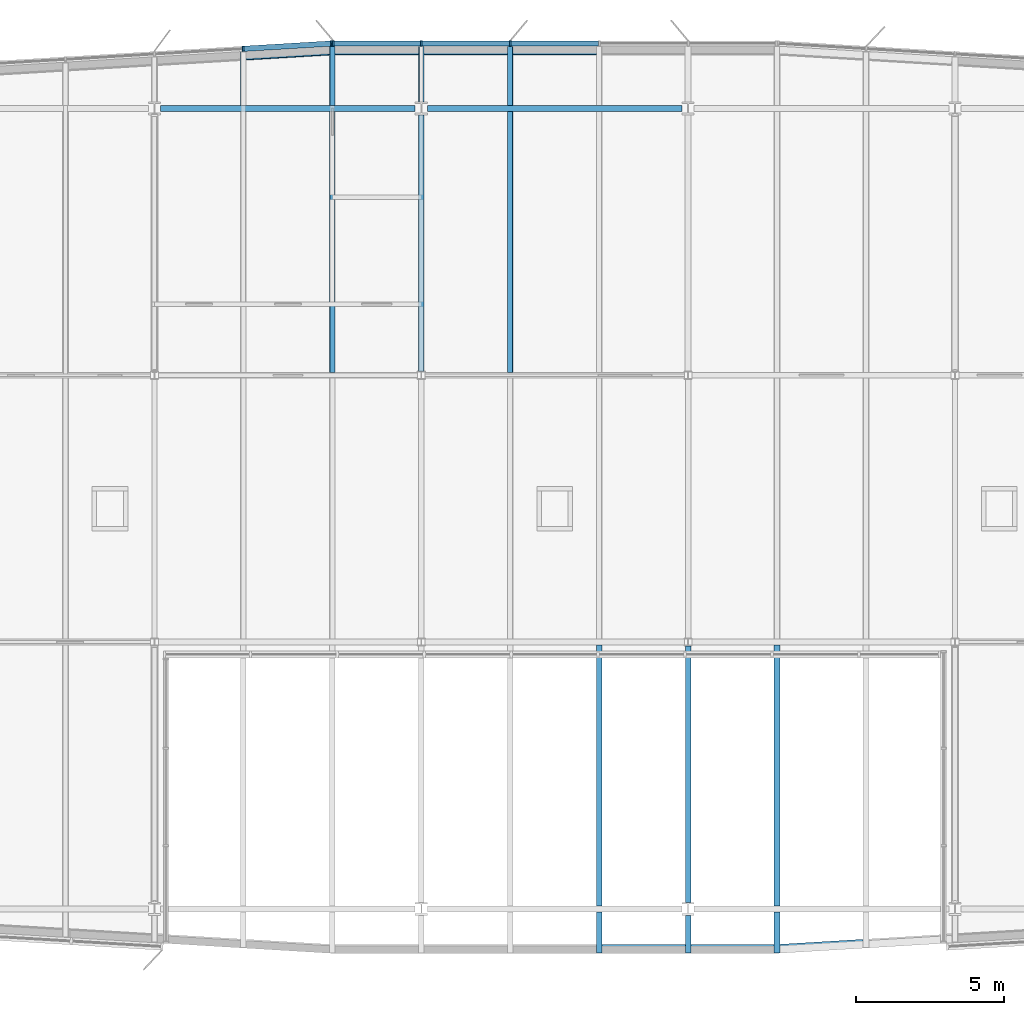
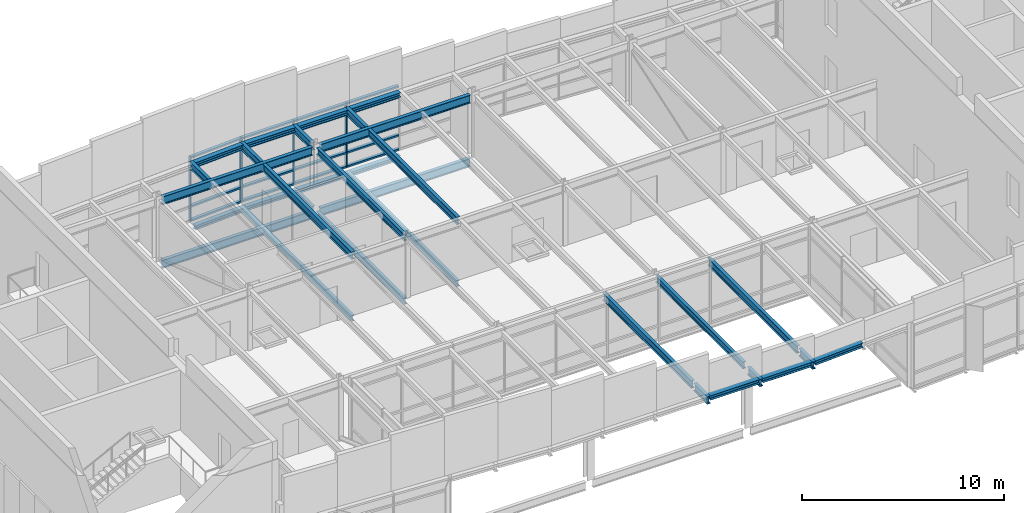
# One storey, part 5 of 23: 34 beams, 21 members, 2 elements without a shape of their own.
"""IFC4 building model written with IfcOpenShell, lengths in metres."""

from ifc_helpers import new_model, si_unit, direction, frame, origin, origin_2d, place, context, subcontext, project, spatial, rectangle, i_section, extrude, material, material_profile, profile_set, type_object, element, aggregate, save


model = new_model("IFC4")

# Units and contexts
model_context = context("Model", 3, precision=1e-05, world=origin(), true_north=direction((0.0, 1.0)))
body_context = subcontext(model_context, "Body", "Model", "MODEL_VIEW")
ifc_project = project(units=[si_unit("LENGTHUNIT", "METRE"), si_unit("AREAUNIT", "SQUARE_METRE"), si_unit("VOLUMEUNIT", "CUBIC_METRE"), si_unit("PLANEANGLEUNIT", "RADIAN"), si_unit("MASSUNIT", "GRAM", prefix="KILO")], contexts=[model_context])

# Site, building, storey
site_placement = place(None, origin())
site = spatial("IfcSite", under=ifc_project, at=site_placement, CompositionType="ELEMENT")
building_placement = place(site_placement, origin())
building = spatial("IfcBuilding", under=site, at=building_placement, Name="Azimuth Sports and Learning Centre", CompositionType="ELEMENT")
storey_placement = place(building_placement, frame((0.0, 0.0, 75.300048828125)))
storey = spatial("IfcBuildingStorey", under=building, at=storey_placement, Name="L17", CompositionType="ELEMENT", Elevation=75.300048828125)

# Beams
ifc_material_1 = material(Name="Steel S355", Category="steel")
ifc_material_profile_1 = material_profile(ifc_material_1, i_section(OverallWidth=0.179931640625, OverallDepth=0.39990234375, WebThickness=0.008544921875, FlangeThickness=0.013427734375, FilletRadius=0.02099609375, at=origin_2d()), Name="IPE 400")
ifc_profile_set_1 = profile_set([ifc_material_profile_1], Name="Steel S355")
beam_type_1 = type_object("IfcBeamType", Name="Beam IPE 400", PredefinedType="BEAM", material=ifc_profile_set_1)
for number, where, z_axis, x_axis, name in (
    (1, (81.0, 108.1298828125, -0.330078125), (0.0, 1.0, 0.0), (-1.0, 0.0, 0.0), "Tower tie"),
    (2, (81.0, 108.1298828125, 3.5), (0.0, 1.0, 0.0), (-1.0, 0.0, 0.0), "Roof tie"),
    (3, (90.0, 90.217529296875, 3.5), (0.0, 1.0, 0.0), (-1.0, 0.0, 0.0), "Roof tie"),
):
    element("IfcBeam", number, at=place(storey_placement, frame(where, z_axis=z_axis, x_axis=x_axis)), inside=storey, type_object=beam_type_1, Name=name, PredefinedType="BEAM", context=body_context, shape_type="SweptSolid", body=[
        extrude(i_section(OverallWidth=0.179931640625, OverallDepth=0.39990234375, WebThickness=0.008544921875, FlangeThickness=0.013427734375, FilletRadius=0.02099609375, at=origin_2d()), origin(), (0.0, 0.0, 1.0), 8.652587890625),
    ])
ifc_material_2 = material(Name="Steel S355", Category="steel")
ifc_material_profile_2 = material_profile(ifc_material_2, i_section(OverallWidth=0.199951171875, OverallDepth=0.5, WebThickness=0.01025390625, FlangeThickness=0.01611328125, FilletRadius=0.02099609375, at=origin_2d()), Name="IPE 500")
ifc_profile_set_2 = profile_set([ifc_material_profile_2], Name="Steel S355")
beam_type_2 = type_object("IfcBeamType", Name="Beam IPE 500", PredefinedType="BEAM", material=ifc_profile_set_2)
for number, where, z_axis, x_axis, name in (
    (4, (72.2060546875, 117.0, -0.380126953125), (1.0, 0.0, 0.0), (0.0, 1.0, 0.0), "Tower girder L17"),
    (5, (81.2060546875, 117.0, -0.380126953125), (1.0, 0.0, 0.0), (0.0, 1.0, 0.0), "Tower girder L17"),
    (6, (72.2060546875, 117.0, 3.449951171875), (1.0, 0.0, 0.0), (0.0, 1.0, 0.0), "Roof girder"),
    (7, (81.2060546875, 117.0, 3.449951171875), (1.0, 0.0, 0.0), (0.0, 1.0, 0.0), "Roof girder"),
):
    element("IfcBeam", number, at=place(storey_placement, frame(where, z_axis=z_axis, x_axis=x_axis)), inside=storey, type_object=beam_type_2, Name=name, PredefinedType="BEAM", context=body_context, shape_type="SweptSolid", body=[
        extrude(i_section(OverallWidth=0.199951171875, OverallDepth=0.5, WebThickness=0.01025390625, FlangeThickness=0.01611328125, FilletRadius=0.02099609375, at=origin_2d()), origin(), (0.0, 0.0, 1.0), 8.587890625),
    ])
ifc_material_3 = material(Name="Steel S355", Category="steel")
ifc_material_profile_3 = material_profile(ifc_material_3, i_section(OverallWidth=0.169921875, OverallDepth=0.360107421875, WebThickness=0.008056640625, FlangeThickness=0.0126953125, FilletRadius=0.01806640625, at=origin_2d()), Name="IPE 360")
ifc_profile_set_3 = profile_set([ifc_material_profile_3], Name="Steel S355")
beam_type_3 = type_object("IfcBeamType", Name="Cantilever stub IPE 360", PredefinedType="JOIST", material=ifc_profile_set_3)
beam_1_placement = place(storey_placement, frame((78.0, 117.10009765625, -0.31005859375), z_axis=(0.0, 1.0, 0.0), x_axis=(-1.0, 0.0, 0.0)))
element("IfcBeam", 8, at=beam_1_placement, inside=storey, type_object=beam_type_3, Name="Tower cantilever stub", PredefinedType="JOIST", context=body_context, shape_type="SweptSolid", body=[
    extrude(i_section(OverallWidth=0.169921875, OverallDepth=0.360107421875, WebThickness=0.008056640625, FlangeThickness=0.0126953125, FilletRadius=0.01806640625, at=origin_2d()), origin(), (0.0, 0.0, 1.0), 1.97998046875),
])
beam_2_placement = place(storey_placement, frame((81.0, 117.217529296875, -0.31005859375), z_axis=(0.0, 1.0, 0.0), x_axis=(-1.0, 0.0, 0.0)))
element("IfcBeam", 9, at=beam_2_placement, inside=storey, type_object=beam_type_3, Name="Tower cantilever stub", PredefinedType="JOIST", context=body_context, shape_type="SweptSolid", body=[
    extrude(i_section(OverallWidth=0.169921875, OverallDepth=0.360107421875, WebThickness=0.008056640625, FlangeThickness=0.0126953125, FilletRadius=0.01806640625, at=origin_2d()), origin(), (0.0, 0.0, 1.0), 1.862548828125),
])
beam_3_placement = place(storey_placement, frame((84.0, 117.10009765625, -0.31005859375), z_axis=(0.0, 1.0, 0.0), x_axis=(-1.0, 0.0, 0.0)))
element("IfcBeam", 10, at=beam_3_placement, inside=storey, type_object=beam_type_3, Name="Tower cantilever stub", PredefinedType="JOIST", context=body_context, shape_type="SweptSolid", body=[
    extrude(i_section(OverallWidth=0.169921875, OverallDepth=0.360107421875, WebThickness=0.008056640625, FlangeThickness=0.0126953125, FilletRadius=0.01806640625, at=origin_2d()), origin(), (0.0, 0.0, 1.0), 1.97998046875),
])
ifc_material_4 = material(Name="Steel S355", Category="steel")
ifc_material_profile_4 = material_profile(ifc_material_4, i_section(OverallWidth=0.18994140625, OverallDepth=0.449951171875, WebThickness=0.009521484375, FlangeThickness=0.0146484375, FilletRadius=0.02099609375, at=origin_2d()), Name="IPE 450")
ifc_profile_set_4 = profile_set([ifc_material_profile_4], Name="Steel S355")
beam_type_4 = type_object("IfcBeamType", Name="Cantilever stub IPE 450", PredefinedType="JOIST", material=ifc_profile_set_4)
beam_4_placement = place(storey_placement, frame((87.0, 89.89990234375, 3.474853515625), z_axis=(0.0, -1.0, 0.0), x_axis=(1.0, 0.0, 0.0)))
element("IfcBeam", 11, at=beam_4_placement, inside=storey, type_object=beam_type_4, Name="Roof cantilever stub", PredefinedType="JOIST", context=body_context, shape_type="SweptSolid", body=[
    extrude(i_section(OverallWidth=0.18994140625, OverallDepth=0.449951171875, WebThickness=0.009521484375, FlangeThickness=0.0146484375, FilletRadius=0.02099609375, at=origin_2d()), origin(), (0.0, 0.0, 1.0), 1.3798828125),
])
beam_5_placement = place(storey_placement, frame((90.0, 89.782470703125, 3.474853515625), z_axis=(0.0, -1.0, 0.0), x_axis=(1.0, 0.0, 0.0)))
element("IfcBeam", 12, at=beam_5_placement, inside=storey, type_object=beam_type_4, Name="Roof cantilever stub", PredefinedType="JOIST", context=body_context, shape_type="SweptSolid", body=[
    extrude(i_section(OverallWidth=0.18994140625, OverallDepth=0.449951171875, WebThickness=0.009521484375, FlangeThickness=0.0146484375, FilletRadius=0.02099609375, at=origin_2d()), origin(), (0.0, 0.0, 1.0), 1.262451171875),
])
beam_6_placement = place(storey_placement, frame((93.0, 89.89990234375, 3.474853515625), z_axis=(0.0, -1.0, 0.0), x_axis=(1.0, 0.0, 0.0)))
element("IfcBeam", 13, at=beam_6_placement, inside=storey, type_object=beam_type_4, Name="Roof cantilever stub", PredefinedType="JOIST", context=body_context, shape_type="SweptSolid", body=[
    extrude(i_section(OverallWidth=0.18994140625, OverallDepth=0.449951171875, WebThickness=0.009521484375, FlangeThickness=0.0146484375, FilletRadius=0.02099609375, at=origin_2d()), origin(), (0.0, 0.0, 1.0), 1.3798828125),
])
beam_7_placement = place(storey_placement, frame((75.0, 117.10009765625, 3.474853515625), z_axis=(0.0, 1.0, 0.0), x_axis=(-1.0, 0.0, 0.0)))
element("IfcBeam", 14, at=beam_7_placement, inside=storey, type_object=beam_type_4, Name="Roof cantilever stub", PredefinedType="JOIST", context=body_context, shape_type="SweptSolid", body=[
    extrude(i_section(OverallWidth=0.18994140625, OverallDepth=0.449951171875, WebThickness=0.009521484375, FlangeThickness=0.0146484375, FilletRadius=0.02099609375, at=origin_2d()), origin(), (0.0, 0.0, 1.0), 1.7998046875),
])
beam_8_placement = place(storey_placement, frame((78.0, 117.10009765625, 3.474853515625), z_axis=(0.0, 1.0, 0.0), x_axis=(-1.0, 0.0, 0.0)))
element("IfcBeam", 15, at=beam_8_placement, inside=storey, type_object=beam_type_4, Name="Roof cantilever stub", PredefinedType="JOIST", context=body_context, shape_type="SweptSolid", body=[
    extrude(i_section(OverallWidth=0.18994140625, OverallDepth=0.449951171875, WebThickness=0.009521484375, FlangeThickness=0.0146484375, FilletRadius=0.02099609375, at=origin_2d()), origin(), (0.0, 0.0, 1.0), 1.97998046875),
])
beam_9_placement = place(storey_placement, frame((81.0, 117.217529296875, 3.474853515625), z_axis=(0.0, 1.0, 0.0), x_axis=(-1.0, 0.0, 0.0)))
element("IfcBeam", 16, at=beam_9_placement, inside=storey, type_object=beam_type_4, Name="Roof cantilever stub", PredefinedType="JOIST", context=body_context, shape_type="SweptSolid", body=[
    extrude(i_section(OverallWidth=0.18994140625, OverallDepth=0.449951171875, WebThickness=0.009521484375, FlangeThickness=0.0146484375, FilletRadius=0.02099609375, at=origin_2d()), origin(), (0.0, 0.0, 1.0), 1.862548828125),
])
beam_10_placement = place(storey_placement, frame((84.0, 117.10009765625, 3.474853515625), z_axis=(0.0, 1.0, 0.0), x_axis=(-1.0, 0.0, 0.0)))
element("IfcBeam", 17, at=beam_10_placement, inside=storey, type_object=beam_type_4, Name="Roof cantilever stub", PredefinedType="JOIST", context=body_context, shape_type="SweptSolid", body=[
    extrude(i_section(OverallWidth=0.18994140625, OverallDepth=0.449951171875, WebThickness=0.009521484375, FlangeThickness=0.0146484375, FilletRadius=0.02099609375, at=origin_2d()), origin(), (0.0, 0.0, 1.0), 1.97998046875),
])
ifc_material_5 = material(Name="Steel S355", Category="steel")
ifc_material_profile_5 = material_profile(ifc_material_5, i_section(OverallWidth=0.260009765625, OverallDepth=0.25, WebThickness=0.007568359375, FlangeThickness=0.012451171875, FilletRadius=0.02392578125, at=origin_2d()), Name="HEA 260")
ifc_profile_set_5 = profile_set([ifc_material_profile_5], Name="Steel S355")
beam_type_5 = type_object("IfcBeamType", Name="Edge beam HEA 260", PredefinedType="SPANDREL", material=ifc_profile_set_5)
beam_11_placement = place(storey_placement, frame((75.0849609375, 118.775146484375, -0.255126953125), z_axis=(0.998207521518, 0.059847673176, 0.0), x_axis=(-0.059847673176, 0.998207521518, 0.0)))
element("IfcBeam", 18, at=beam_11_placement, inside=storey, type_object=beam_type_5, Name="Tower edge beam", PredefinedType="SPANDREL", context=body_context, shape_type="SweptSolid", body=[
    extrude(i_section(OverallWidth=0.260009765625, OverallDepth=0.25, WebThickness=0.007568359375, FlangeThickness=0.012451171875, FilletRadius=0.02392578125, at=origin_2d()), origin(), (0.0, 0.0, 1.0), 2.835205078125),
])
for number, where, z_axis, x_axis, name in (
    (19, (78.0849609375, 118.949951171875, -0.255126953125), (1.0, 0.0, 0.0), (0.0, 1.0, 0.0), "Tower edge beam"),
    (20, (81.0849609375, 118.949951171875, -0.255126953125), (1.0, 0.0, 0.0), (0.0, 1.0, 0.0), "Tower edge beam"),
    (21, (84.0849609375, 118.949951171875, -0.255126953125), (1.0, 0.0, 0.0), (0.0, 1.0, 0.0), "Tower edge beam"),
):
    element("IfcBeam", number, at=place(storey_placement, frame(where, z_axis=z_axis, x_axis=x_axis)), inside=storey, type_object=beam_type_5, Name=name, PredefinedType="SPANDREL", context=body_context, shape_type="SweptSolid", body=[
        extrude(i_section(OverallWidth=0.260009765625, OverallDepth=0.25, WebThickness=0.007568359375, FlangeThickness=0.012451171875, FilletRadius=0.02392578125, at=origin_2d()), origin(), (0.0, 0.0, 1.0), 2.830078125),
    ])
ifc_material_6 = material(Name="Steel S355", Category="steel")
ifc_material_profile_6 = material_profile(ifc_material_6, i_section(OverallWidth=0.280029296875, OverallDepth=0.27001953125, WebThickness=0.008056640625, FlangeThickness=0.012939453125, FilletRadius=0.02392578125, at=origin_2d()), Name="HEA 280")
ifc_profile_set_6 = profile_set([ifc_material_profile_6], Name="Steel S355")
beam_type_6 = type_object("IfcBeamType", Name="Edge beam HEA 280", PredefinedType="SPANDREL", material=ifc_profile_set_6)
for number, where, z_axis, x_axis, name in (
    (22, (87.094970703125, 88.659912109375, 3.56494140625), (1.0, 0.0, 0.0), (0.0, 1.0, 0.0), "Roof edge beam"),
    (23, (90.094970703125, 88.659912109375, 3.56494140625), (1.0, 0.0, 0.0), (0.0, 1.0, 0.0), "Roof edge beam"),
):
    element("IfcBeam", number, at=place(storey_placement, frame(where, z_axis=z_axis, x_axis=x_axis)), inside=storey, type_object=beam_type_6, Name=name, PredefinedType="SPANDREL", context=body_context, shape_type="SweptSolid", body=[
        extrude(i_section(OverallWidth=0.280029296875, OverallDepth=0.27001953125, WebThickness=0.008056640625, FlangeThickness=0.012939453125, FilletRadius=0.02392578125, at=origin_2d()), origin(), (0.0, 0.0, 1.0), 2.81005859375),
    ])
for number, where, z_axis, x_axis, name in (
    (24, (93.094970703125, 88.665771484375, 3.56494140625), (0.99820795503, 0.059840442135, 0.0), (-0.059840442135, 0.99820795503, 0.0), "Roof edge beam"),
    (25, (75.094970703125, 118.765625, 3.56494140625), (0.998202770938, 0.059926856187, 0.0), (-0.059926856187, 0.998202770938, 0.0), "Roof edge beam"),
):
    element("IfcBeam", number, at=place(storey_placement, frame(where, z_axis=z_axis, x_axis=x_axis)), inside=storey, type_object=beam_type_6, Name=name, PredefinedType="SPANDREL", context=body_context, shape_type="SweptSolid", body=[
        extrude(i_section(OverallWidth=0.280029296875, OverallDepth=0.27001953125, WebThickness=0.008056640625, FlangeThickness=0.012939453125, FilletRadius=0.02392578125, at=origin_2d()), origin(), (0.0, 0.0, 1.0), 2.815185546875),
    ])
for number, where, z_axis, x_axis, name in (
    (26, (78.094970703125, 118.93994140625, 3.56494140625), (1.0, 0.0, 0.0), (0.0, 1.0, 0.0), "Roof edge beam"),
    (27, (81.094970703125, 118.93994140625, 3.56494140625), (1.0, 0.0, 0.0), (0.0, 1.0, 0.0), "Roof edge beam"),
    (28, (84.094970703125, 118.93994140625, 3.56494140625), (1.0, 0.0, 0.0), (0.0, 1.0, 0.0), "Roof edge beam"),
):
    element("IfcBeam", number, at=place(storey_placement, frame(where, z_axis=z_axis, x_axis=x_axis)), inside=storey, type_object=beam_type_6, Name=name, PredefinedType="SPANDREL", context=body_context, shape_type="SweptSolid", body=[
        extrude(i_section(OverallWidth=0.280029296875, OverallDepth=0.27001953125, WebThickness=0.008056640625, FlangeThickness=0.012939453125, FilletRadius=0.02392578125, at=origin_2d()), origin(), (0.0, 0.0, 1.0), 2.81005859375),
    ])
ifc_material_7 = material(Name="Steel S355", Category="steel")
ifc_material_profile_7 = material_profile(ifc_material_7, i_section(OverallWidth=0.169921875, OverallDepth=0.360107421875, WebThickness=0.008056640625, FlangeThickness=0.0126953125, FilletRadius=0.01806640625, at=origin_2d()), Name="IPE 360")
ifc_profile_set_7 = profile_set([ifc_material_profile_7], Name="Steel S355")
beam_type_7 = type_object("IfcBeamType", Name="Joist IPE 360", PredefinedType="JOIST", material=ifc_profile_set_7)
for number, where, z_axis, x_axis, name in (
    (29, (78.0, 108.10009765625, -0.31005859375), (0.0, 1.0, 0.0), (-1.0, 0.0, 0.0), "Tower joist"),
    (30, (84.0, 108.10009765625, -0.31005859375), (0.0, 1.0, 0.0), (-1.0, 0.0, 0.0), "Tower joist"),
):
    element("IfcBeam", number, at=place(storey_placement, frame(where, z_axis=z_axis, x_axis=x_axis)), inside=storey, type_object=beam_type_7, Name=name, PredefinedType="JOIST", context=body_context, shape_type="SweptSolid", body=[
        extrude(i_section(OverallWidth=0.169921875, OverallDepth=0.360107421875, WebThickness=0.008056640625, FlangeThickness=0.0126953125, FilletRadius=0.01806640625, at=origin_2d()), origin(), (0.0, 0.0, 1.0), 8.7998046875),
    ])
ifc_material_8 = material(Name="Steel S355", Category="steel")
ifc_material_profile_8 = material_profile(ifc_material_8, i_section(OverallWidth=0.18994140625, OverallDepth=0.449951171875, WebThickness=0.009521484375, FlangeThickness=0.0146484375, FilletRadius=0.02099609375, at=origin_2d()), Name="IPE 450")
ifc_profile_set_8 = profile_set([ifc_material_profile_8], Name="Steel S355")
beam_type_8 = type_object("IfcBeamType", Name="Joist IPE 450", PredefinedType="JOIST", material=ifc_profile_set_8)
for number, where, z_axis, x_axis, name in (
    (31, (78.0, 108.10009765625, 3.474853515625), (0.0, 1.0, 0.0), (-1.0, 0.0, 0.0), "Roof joist"),
    (32, (84.0, 108.10009765625, 3.474853515625), (0.0, 1.0, 0.0), (-1.0, 0.0, 0.0), "Roof joist"),
    (33, (87.0, 90.10009765625, 3.474853515625), (0.0, 1.0, 0.0), (-1.0, 0.0, 0.0), "Roof joist"),
    (34, (93.0, 90.10009765625, 3.474853515625), (0.0, 1.0, 0.0), (-1.0, 0.0, 0.0), "Roof joist"),
):
    element("IfcBeam", number, at=place(storey_placement, frame(where, z_axis=z_axis, x_axis=x_axis)), inside=storey, type_object=beam_type_8, Name=name, PredefinedType="JOIST", context=body_context, shape_type="SweptSolid", body=[
        extrude(i_section(OverallWidth=0.18994140625, OverallDepth=0.449951171875, WebThickness=0.009521484375, FlangeThickness=0.0146484375, FilletRadius=0.02099609375, at=origin_2d()), origin(), (0.0, 0.0, 1.0), 8.7998046875),
    ])

# Curtain wall, members
ifc_material_9 = material(Name="Aluminium and glass", Category="aluminium")
curtain_wall_type = type_object("IfcCurtainWallType", Name="Curtain wall tower north 180", PredefinedType="NOTDEFINED", material=ifc_material_9)
curtain_wall_1_placement = place(storey_placement, origin())
curtain_wall_1 = element("IfcCurtainWall", 35, at=curtain_wall_1_placement, inside=storey, type_object=curtain_wall_type, Name="Curtain wall CW17-010", PredefinedType="NOTDEFINED")
ifc_material_10 = material(Name="Aluminium", Category="aluminium")
ifc_material_profile_9 = material_profile(ifc_material_10, rectangle(XDim=0.179931640625, YDim=0.06005859375, at=origin_2d()), Name="Mullion 60x180")
ifc_profile_set_9 = profile_set([ifc_material_profile_9], Name="Aluminium")
member_type_1 = type_object("IfcMemberType", Name="Mullion 60x180", PredefinedType="MULLION", material=ifc_profile_set_9)
member_1_placement = place(storey_placement, frame((84.0, 119.18994140625, 0.0), z_axis=(0.0, 0.0, 1.0), x_axis=(0.0, -1.0, 0.0)))
member_1 = element("IfcMember", 36, at=member_1_placement, type_object=member_type_1, Name="CW17-010 mullion 4", PredefinedType="MULLION", context=body_context, shape_type="SweptSolid", body=[
    extrude(rectangle(XDim=0.179931640625, YDim=0.06005859375, at=origin_2d()), origin(), (0.0, 0.0, 1.0), 3.89990234375),
])
member_2_placement = place(storey_placement, frame((81.0, 119.18994140625, 0.0), z_axis=(0.0, 0.0, 1.0), x_axis=(0.0, -1.0, 0.0)))
member_2 = element("IfcMember", 37, at=member_2_placement, type_object=member_type_1, Name="CW17-010 mullion 5", PredefinedType="MULLION", context=body_context, shape_type="SweptSolid", body=[
    extrude(rectangle(XDim=0.179931640625, YDim=0.06005859375, at=origin_2d()), origin(), (0.0, 0.0, 1.0), 3.89990234375),
])
member_3_placement = place(storey_placement, frame((78.030029296875, 119.18994140625, 0.0), z_axis=(0.0, 0.0, 1.0), x_axis=(0.0, -1.0, 0.0)))
member_3 = element("IfcMember", 38, at=member_3_placement, type_object=member_type_1, Name="CW17-010 mullion 6", PredefinedType="MULLION", context=body_context, shape_type="SweptSolid", body=[
    extrude(rectangle(XDim=0.179931640625, YDim=0.06005859375, at=origin_2d()), origin(), (0.0, 0.0, 1.0), 3.89990234375),
])

curtain_wall_2_placement = place(storey_placement, origin())
curtain_wall_2 = element("IfcCurtainWall", 39, at=curtain_wall_2_placement, inside=storey, type_object=curtain_wall_type, Name="Curtain wall CW17-011", PredefinedType="NOTDEFINED")
member_4_placement = place(storey_placement, frame((77.969970703125, 119.1884765625, 0.0), z_axis=(0.0, 0.0, 1.0), x_axis=(0.059891991812, -0.998204863401, 0.0)))
member_4 = element("IfcMember", 40, at=member_4_placement, type_object=member_type_1, Name="CW17-011 mullion 1", PredefinedType="MULLION", context=body_context, shape_type="SweptSolid", body=[
    extrude(rectangle(XDim=0.179931640625, YDim=0.06005859375, at=origin_2d()), origin(), (0.0, 0.0, 1.0), 3.89990234375),
])
member_5_placement = place(storey_placement, frame((74.99462890625, 119.009765625, 0.0), z_axis=(0.0, 0.0, 1.0), x_axis=(0.059891991812, -0.998204863401, 0.0)))
member_5 = element("IfcMember", 41, at=member_5_placement, type_object=member_type_1, Name="CW17-011 mullion 2", PredefinedType="MULLION", context=body_context, shape_type="SweptSolid", body=[
    extrude(rectangle(XDim=0.179931640625, YDim=0.06005859375, at=origin_2d()), origin(), (0.0, 0.0, 1.0), 3.89990234375),
])

# Member
ifc_material_11 = material(Name="Aluminium", Category="aluminium")
ifc_material_profile_10 = material_profile(ifc_material_11, rectangle(XDim=0.179931640625, YDim=0.10009765625, at=origin_2d()), Name="Transom 100x180")
ifc_profile_set_10 = profile_set([ifc_material_profile_10], Name="Aluminium")
member_type_2 = type_object("IfcMemberType", Name="Transom 100x180", PredefinedType="USERDEFINED", material=ifc_profile_set_10)
member_6_placement = place(storey_placement, frame((86.969970703125, 119.18994140625, 0.050048828125), z_axis=(-1.0, 0.0, 0.0), x_axis=(0.0, -1.0, 0.0)))
member_6 = element("IfcMember", 42, at=member_6_placement, type_object=member_type_2, Name="CW17-010 transom 3.1", ObjectType="TRANSOM", PredefinedType="USERDEFINED", context=body_context, shape_type="SweptSolid", body=[
    extrude(rectangle(XDim=0.179931640625, YDim=0.10009765625, at=origin_2d()), origin(), (0.0, 0.0, 1.0), 2.93994140625),
])

member_7_placement = place(storey_placement, frame((86.969970703125, 119.18994140625, 0.89990234375), z_axis=(-1.0, 0.0, 0.0), x_axis=(0.0, -1.0, 0.0)))
member_7 = element("IfcMember", 43, at=member_7_placement, type_object=member_type_2, Name="CW17-010 transom 3.2", ObjectType="TRANSOM", PredefinedType="USERDEFINED", context=body_context, shape_type="SweptSolid", body=[
    extrude(rectangle(XDim=0.179931640625, YDim=0.10009765625, at=origin_2d()), origin(), (0.0, 0.0, 1.0), 2.93994140625),
])

member_8_placement = place(storey_placement, frame((86.969970703125, 119.18994140625, 3.199951171875), z_axis=(-1.0, 0.0, 0.0), x_axis=(0.0, -1.0, 0.0)))
member_8 = element("IfcMember", 44, at=member_8_placement, type_object=member_type_2, Name="CW17-010 transom 3.3", ObjectType="TRANSOM", PredefinedType="USERDEFINED", context=body_context, shape_type="SweptSolid", body=[
    extrude(rectangle(XDim=0.179931640625, YDim=0.10009765625, at=origin_2d()), origin(), (0.0, 0.0, 1.0), 2.93994140625),
])

member_9_placement = place(storey_placement, frame((86.969970703125, 119.18994140625, 3.849853515625), z_axis=(-1.0, 0.0, 0.0), x_axis=(0.0, -1.0, 0.0)))
member_9 = element("IfcMember", 45, at=member_9_placement, type_object=member_type_2, Name="CW17-010 transom 3.4", ObjectType="TRANSOM", PredefinedType="USERDEFINED", context=body_context, shape_type="SweptSolid", body=[
    extrude(rectangle(XDim=0.179931640625, YDim=0.10009765625, at=origin_2d()), origin(), (0.0, 0.0, 1.0), 2.93994140625),
])

member_10_placement = place(storey_placement, frame((83.969970703125, 119.18994140625, 0.050048828125), z_axis=(-1.0, 0.0, 0.0), x_axis=(0.0, -1.0, 0.0)))
member_10 = element("IfcMember", 46, at=member_10_placement, type_object=member_type_2, Name="CW17-010 transom 4.1", ObjectType="TRANSOM", PredefinedType="USERDEFINED", context=body_context, shape_type="SweptSolid", body=[
    extrude(rectangle(XDim=0.179931640625, YDim=0.10009765625, at=origin_2d()), origin(), (0.0, 0.0, 1.0), 2.93994140625),
])

member_11_placement = place(storey_placement, frame((83.969970703125, 119.18994140625, 0.89990234375), z_axis=(-1.0, 0.0, 0.0), x_axis=(0.0, -1.0, 0.0)))
member_11 = element("IfcMember", 47, at=member_11_placement, type_object=member_type_2, Name="CW17-010 transom 4.2", ObjectType="TRANSOM", PredefinedType="USERDEFINED", context=body_context, shape_type="SweptSolid", body=[
    extrude(rectangle(XDim=0.179931640625, YDim=0.10009765625, at=origin_2d()), origin(), (0.0, 0.0, 1.0), 2.93994140625),
])

member_12_placement = place(storey_placement, frame((83.969970703125, 119.18994140625, 3.199951171875), z_axis=(-1.0, 0.0, 0.0), x_axis=(0.0, -1.0, 0.0)))
member_12 = element("IfcMember", 48, at=member_12_placement, type_object=member_type_2, Name="CW17-010 transom 4.3", ObjectType="TRANSOM", PredefinedType="USERDEFINED", context=body_context, shape_type="SweptSolid", body=[
    extrude(rectangle(XDim=0.179931640625, YDim=0.10009765625, at=origin_2d()), origin(), (0.0, 0.0, 1.0), 2.93994140625),
])

member_13_placement = place(storey_placement, frame((83.969970703125, 119.18994140625, 3.849853515625), z_axis=(-1.0, 0.0, 0.0), x_axis=(0.0, -1.0, 0.0)))
member_13 = element("IfcMember", 49, at=member_13_placement, type_object=member_type_2, Name="CW17-010 transom 4.4", ObjectType="TRANSOM", PredefinedType="USERDEFINED", context=body_context, shape_type="SweptSolid", body=[
    extrude(rectangle(XDim=0.179931640625, YDim=0.10009765625, at=origin_2d()), origin(), (0.0, 0.0, 1.0), 2.93994140625),
])

member_14_placement = place(storey_placement, frame((80.969970703125, 119.18994140625, 0.050048828125), z_axis=(-1.0, 0.0, 0.0), x_axis=(0.0, -1.0, 0.0)))
member_14 = element("IfcMember", 50, at=member_14_placement, type_object=member_type_2, Name="CW17-010 transom 5.1", ObjectType="TRANSOM", PredefinedType="USERDEFINED", context=body_context, shape_type="SweptSolid", body=[
    extrude(rectangle(XDim=0.179931640625, YDim=0.10009765625, at=origin_2d()), origin(), (0.0, 0.0, 1.0), 2.909912109375),
])

member_15_placement = place(storey_placement, frame((80.969970703125, 119.18994140625, 0.89990234375), z_axis=(-1.0, 0.0, 0.0), x_axis=(0.0, -1.0, 0.0)))
member_15 = element("IfcMember", 51, at=member_15_placement, type_object=member_type_2, Name="CW17-010 transom 5.2", ObjectType="TRANSOM", PredefinedType="USERDEFINED", context=body_context, shape_type="SweptSolid", body=[
    extrude(rectangle(XDim=0.179931640625, YDim=0.10009765625, at=origin_2d()), origin(), (0.0, 0.0, 1.0), 2.909912109375),
])

member_16_placement = place(storey_placement, frame((80.969970703125, 119.18994140625, 3.199951171875), z_axis=(-1.0, 0.0, 0.0), x_axis=(0.0, -1.0, 0.0)))
member_16 = element("IfcMember", 52, at=member_16_placement, type_object=member_type_2, Name="CW17-010 transom 5.3", ObjectType="TRANSOM", PredefinedType="USERDEFINED", context=body_context, shape_type="SweptSolid", body=[
    extrude(rectangle(XDim=0.179931640625, YDim=0.10009765625, at=origin_2d()), origin(), (0.0, 0.0, 1.0), 2.909912109375),
])

member_17_placement = place(storey_placement, frame((80.969970703125, 119.18994140625, 3.849853515625), z_axis=(-1.0, 0.0, 0.0), x_axis=(0.0, -1.0, 0.0)))
member_17 = element("IfcMember", 53, at=member_17_placement, type_object=member_type_2, Name="CW17-010 transom 5.4", ObjectType="TRANSOM", PredefinedType="USERDEFINED", context=body_context, shape_type="SweptSolid", body=[
    extrude(rectangle(XDim=0.179931640625, YDim=0.10009765625, at=origin_2d()), origin(), (0.0, 0.0, 1.0), 2.909912109375),
])

aggregate(curtain_wall_1, [member_1, member_2, member_3, member_6, member_7, member_8, member_9, member_10, member_11, member_12, member_13, member_14, member_15, member_16, member_17])

member_18_placement = place(storey_placement, frame((77.940185546875, 119.1865234375, 0.050048828125), z_axis=(-0.998207443116, -0.059848980847, 0.0), x_axis=(0.059848980847, -0.998207443116, 0.0)))
member_18 = element("IfcMember", 54, at=member_18_placement, type_object=member_type_2, Name="CW17-011 transom 1.1", ObjectType="TRANSOM", PredefinedType="USERDEFINED", context=body_context, shape_type="SweptSolid", body=[
    extrude(rectangle(XDim=0.179931640625, YDim=0.10009765625, at=origin_2d()), origin(), (0.0, 0.0, 1.0), 2.920654296875),
])

member_19_placement = place(storey_placement, frame((77.940185546875, 119.1865234375, 0.89990234375), z_axis=(-0.998207443116, -0.059848980847, 0.0), x_axis=(0.059848980847, -0.998207443116, 0.0)))
member_19 = element("IfcMember", 55, at=member_19_placement, type_object=member_type_2, Name="CW17-011 transom 1.2", ObjectType="TRANSOM", PredefinedType="USERDEFINED", context=body_context, shape_type="SweptSolid", body=[
    extrude(rectangle(XDim=0.179931640625, YDim=0.10009765625, at=origin_2d()), origin(), (0.0, 0.0, 1.0), 2.920654296875),
])

member_20_placement = place(storey_placement, frame((77.940185546875, 119.1865234375, 3.199951171875), z_axis=(-0.998207443116, -0.059848980847, 0.0), x_axis=(0.059848980847, -0.998207443116, 0.0)))
member_20 = element("IfcMember", 56, at=member_20_placement, type_object=member_type_2, Name="CW17-011 transom 1.3", ObjectType="TRANSOM", PredefinedType="USERDEFINED", context=body_context, shape_type="SweptSolid", body=[
    extrude(rectangle(XDim=0.179931640625, YDim=0.10009765625, at=origin_2d()), origin(), (0.0, 0.0, 1.0), 2.920654296875),
])

member_21_placement = place(storey_placement, frame((77.940185546875, 119.1865234375, 3.849853515625), z_axis=(-0.998207443116, -0.059848980847, 0.0), x_axis=(0.059848980847, -0.998207443116, 0.0)))
member_21 = element("IfcMember", 57, at=member_21_placement, type_object=member_type_2, Name="CW17-011 transom 1.4", ObjectType="TRANSOM", PredefinedType="USERDEFINED", context=body_context, shape_type="SweptSolid", body=[
    extrude(rectangle(XDim=0.179931640625, YDim=0.10009765625, at=origin_2d()), origin(), (0.0, 0.0, 1.0), 2.920654296875),
])

aggregate(curtain_wall_2, [member_4, member_5, member_18, member_19, member_20, member_21])

save(model, "model.ifc")
